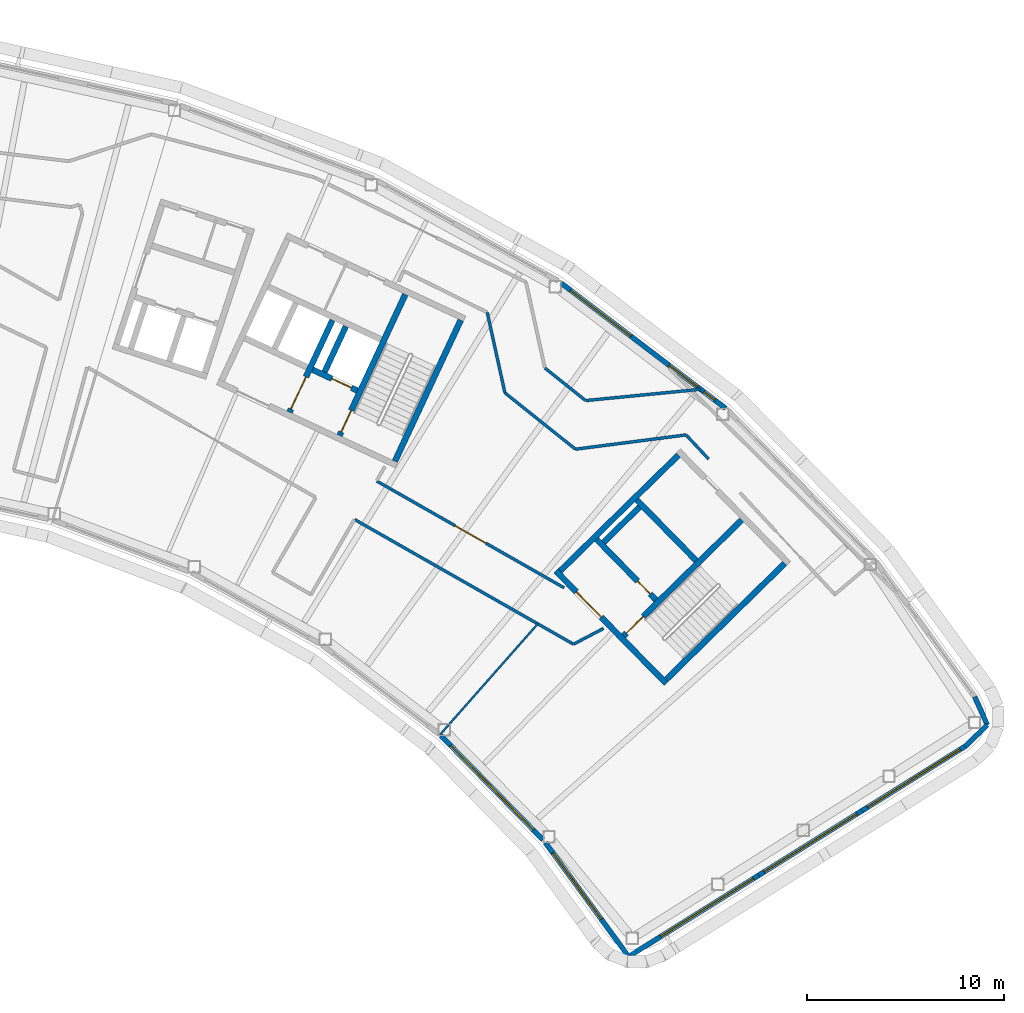
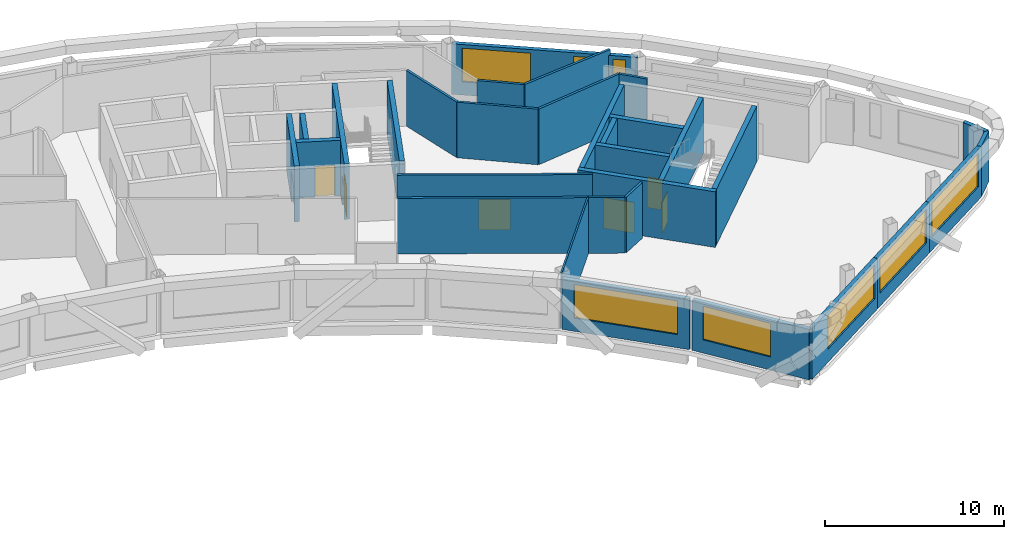
# One storey, part 8 of 17: 30 walls, 8 windows, 7 doors, 15 openings.
"""IFC4 building model written with IfcOpenShell, lengths in metres."""

from ifc_helpers import new_model, si_unit, direction, frame, frame_2d, origin, place, context, subcontext, project, spatial, rectangle, extrude, material, layer, layer_set, type_object, element, fill, save


model = new_model("IFC4")

# Units and contexts
model_context = context("Model", 3, precision=1e-05, world=origin(), true_north=direction((0.0, 1.0)))
body_context = subcontext(model_context, "Body", "Model", "MODEL_VIEW")
ifc_project = project(units=[si_unit("LENGTHUNIT", "METRE"), si_unit("AREAUNIT", "SQUARE_METRE"), si_unit("VOLUMEUNIT", "CUBIC_METRE"), si_unit("PLANEANGLEUNIT", "RADIAN"), si_unit("MASSUNIT", "GRAM", prefix="KILO")], contexts=[model_context])

# Site, building, storey
site_placement = place(None, origin())
site = spatial("IfcSite", under=ifc_project, at=site_placement, CompositionType="ELEMENT")
building_placement = place(site_placement, origin())
building = spatial("IfcBuilding", under=site, at=building_placement, Name="Tuul Gate Civic Tower", CompositionType="ELEMENT")
storey_placement = place(building_placement, frame((0.0, 0.0, 344.89990234375)))
storey = spatial("IfcBuildingStorey", under=building, at=storey_placement, Name="Level 78", CompositionType="ELEMENT", Elevation=344.89990234375)

# Wall, opening, door
ifc_material_1 = material(Name="Concrete C50/60", Category="concrete")
ifc_layer_1 = layer(ifc_material_1, 0.300048828125)
ifc_layer_set_1 = layer_set([ifc_layer_1], Name="Concrete C50/60")
wall_type_1 = type_object("IfcWallType", Name="Core wall C50/60", PredefinedType="SHEAR", material=ifc_layer_set_1)
wall_1_placement = place(storey_placement, frame((48.22509765625, -18.327880859375, 0.0), z_axis=(0.0, 0.0, 1.0), x_axis=(-0.700021979774, 0.714121297703, 0.0)))
wall_1 = element("IfcWall", 1, at=wall_1_placement, inside=storey, type_object=wall_type_1, Name="Core wall", PredefinedType="SHEAR", context=body_context, shape_type="SweptSolid", body=[
    extrude(rectangle(XDim=8.0, YDim=0.300048828125, at=frame_2d((4.0, 0.0))), origin(), (0.0, 0.0, 1.0), 3.800048828125),
])
opening_1_placement = place(wall_1_placement, frame((4.72509765625, 0.0, 0.0)))
opening_1 = element("IfcOpeningElement", 2, at=opening_1_placement, cuts=wall_1, Name="Opening LB-E1-LOBBY-1", PredefinedType="OPENING", context=body_context, shape_type="SweptSolid", body=[
    extrude(rectangle(XDim=1.800048828125, YDim=2.10009765625, at=frame_2d((0.89990234375, 1.050048828125))), frame((0.0, 0.16015625, 0.0), z_axis=(0.0, -1.0, 0.0), x_axis=(1.0, 0.0, 0.0)), (0.0, 0.0, 1.0), 0.320068359375),
])
ifc_material_2 = material(Name="Steel", Category="steel")
door_type_1 = type_object("IfcDoorType", Name="Lobby door", OperationType="DOUBLE_DOOR_SINGLE_SWING", PredefinedType="DOOR", material=ifc_material_2)
door_1_placement = place(opening_1_placement, frame((1.800048828125, 0.0, 0.0), z_axis=(0.0, 0.0, 1.0), x_axis=(-1.0, 0.0, 0.0)))
door_1 = element("IfcDoor", 3, at=door_1_placement, inside=storey, type_object=door_type_1, Name="Lobby door E1-LOBBY", OperationType="DOUBLE_DOOR_SINGLE_SWING", OverallHeight=2.10009765625, OverallWidth=1.800048828125, PredefinedType="DOOR", context=body_context, shape_type="SweptSolid", body=[
    extrude(rectangle(XDim=1.800048828125, YDim=2.10009765625, at=frame_2d((0.900146484375, 1.050048828125))), frame((0.0, 0.02490234375, 0.0), z_axis=(0.0, -1.0, 0.0), x_axis=(1.0, 0.0, 0.0)), (0.0, 0.0, 1.0), 0.050048828125),
])
fill(opening_1, door_1)

wall_2_placement = place(storey_placement, frame((47.701904296875, -14.079833984375, 0.0), z_axis=(0.0, 0.0, 1.0), x_axis=(-0.700002721075, 0.714140175657, 0.0)))
wall_2 = element("IfcWall", 4, at=wall_2_placement, inside=storey, type_object=wall_type_1, Name="Core wall", PredefinedType="SHEAR", context=body_context, shape_type="SweptSolid", body=[
    extrude(rectangle(XDim=4.300048828125, YDim=0.300048828125, at=frame_2d((2.14990234375, 0.0))), origin(), (0.0, 0.0, 1.0), 3.800048828125),
])
opening_2_placement = place(wall_2_placement, frame((0.425048828125, 0.0, 0.0)))
opening_2 = element("IfcOpeningElement", 5, at=opening_2_placement, cuts=wall_2, Name="Opening FB-E1A1", PredefinedType="OPENING", context=body_context, shape_type="SweptSolid", body=[
    extrude(rectangle(XDim=0.89990234375, YDim=2.10009765625, at=frame_2d((0.449951171875, 1.050048828125))), frame((0.0, 0.16015625, 0.0), z_axis=(0.0, -1.0, 0.0), x_axis=(1.0, 0.0, 0.0)), (0.0, 0.0, 1.0), 0.320068359375),
])
ifc_material_3 = material(Name="Steel", Category="steel")
door_type_2 = type_object("IfcDoorType", Name="Store door", OperationType="NOTDEFINED", PredefinedType="DOOR", material=ifc_material_3)
door_2_placement = place(opening_2_placement, frame((0.89990234375, 0.0, 0.0), z_axis=(0.0, 0.0, 1.0), x_axis=(-1.0, 0.0, 0.0)))
door_2 = element("IfcDoor", 6, at=door_2_placement, inside=storey, type_object=door_type_2, Name="Store door E1A1", OperationType="SINGLE_SWING_RIGHT", OverallHeight=2.10009765625, OverallWidth=0.89990234375, PredefinedType="DOOR", context=body_context, shape_type="SweptSolid", body=[
    extrude(rectangle(XDim=0.89990234375, YDim=2.10009765625, at=frame_2d((0.449951171875, 1.050048828125))), frame((0.0, 0.02490234375, 0.0), z_axis=(0.0, -1.0, 0.0), x_axis=(1.0, 0.0, 0.0)), (0.0, 0.0, 1.0), 0.050048828125),
])
fill(opening_2, door_2)

# Walls
wall_3_placement = place(storey_placement, frame((49.737060546875, -12.0849609375, 0.0), z_axis=(0.0, 0.0, 1.0), x_axis=(-0.700002721075, 0.714140175657, 0.0)))
element("IfcWall", 7, at=wall_3_placement, inside=storey, type_object=wall_type_1, Name="Core wall", PredefinedType="SHEAR", context=body_context, shape_type="SweptSolid", body=[
    extrude(rectangle(XDim=4.300048828125, YDim=0.300048828125, at=frame_2d((2.14990234375, 0.0))), origin(), (0.0, 0.0, 1.0), 3.800048828125),
])
wall_4_placement = place(storey_placement, frame((48.227294921875, -18.115966796875, 0.0), z_axis=(0.0, 0.0, 1.0), x_axis=(0.714105315431, 0.700038283577, 0.0)))
element("IfcWall", 8, at=wall_4_placement, inside=storey, type_object=wall_type_1, Name="Core wall", PredefinedType="SHEAR", context=body_context, shape_type="SweptSolid", body=[
    extrude(rectangle(XDim=8.400146484375, YDim=0.300048828125, at=frame_2d((4.2001953125, 0.0))), origin(), (0.0, 0.0, 1.0), 3.800048828125),
])

# Wall, opening, door
wall_5_placement = place(storey_placement, frame((46.05712890625, -15.902099609375, 0.0), z_axis=(0.0, 0.0, 1.0), x_axis=(0.714134086973, 0.700008932674, 0.0)))
wall_5 = element("IfcWall", 9, at=wall_5_placement, inside=storey, type_object=wall_type_1, Name="Core wall", PredefinedType="SHEAR", context=body_context, shape_type="SweptSolid", body=[
    extrude(rectangle(XDim=8.400146484375, YDim=0.300048828125, at=frame_2d((4.2001953125, 0.0))), origin(), (0.0, 0.0, 1.0), 3.800048828125),
])
opening_3_placement = place(wall_5_placement, frame((0.199951171875, 0.0, 0.0)))
opening_3 = element("IfcOpeningElement", 10, at=opening_3_placement, cuts=wall_5, Name="Opening SD-ST-3", PredefinedType="OPENING", context=body_context, shape_type="SweptSolid", body=[
    extrude(rectangle(XDim=1.199951171875, YDim=2.10009765625, at=frame_2d((0.60009765625, 1.050048828125))), frame((0.0, 0.16015625, 0.0), z_axis=(0.0, -1.0, 0.0), x_axis=(1.0, 0.0, 0.0)), (0.0, 0.0, 1.0), 0.320068359375),
])
ifc_material_4 = material(Name="Steel", Category="steel")
door_type_3 = type_object("IfcDoorType", Name="Stair door", OperationType="NOTDEFINED", PredefinedType="DOOR", material=ifc_material_4)
door_3_placement = place(opening_3_placement, origin())
door_3 = element("IfcDoor", 11, at=door_3_placement, inside=storey, type_object=door_type_3, Name="Stair door ST-3", OperationType="SINGLE_SWING_LEFT", OverallHeight=2.10009765625, OverallWidth=1.199951171875, PredefinedType="DOOR", context=body_context, shape_type="SweptSolid", body=[
    extrude(rectangle(XDim=1.199951171875, YDim=2.10009765625, at=frame_2d((0.60009765625, 1.050048828125))), frame((0.0, 0.02490234375, 0.0), z_axis=(0.0, -1.0, 0.0), x_axis=(1.0, 0.0, 0.0)), (0.0, 0.0, 1.0), 0.050048828125),
])
fill(opening_3, door_3)

# Walls
wall_6_placement = place(storey_placement, frame((45.0439453125, -11.154052734375, 0.0), z_axis=(0.0, 0.0, 1.0), x_axis=(0.714108498262, 0.700035036773, 0.0)))
element("IfcWall", 12, at=wall_6_placement, inside=storey, type_object=wall_type_1, Name="Core wall", PredefinedType="SHEAR", context=body_context, shape_type="SweptSolid", body=[
    extrude(rectangle(XDim=2.550048828125, YDim=0.300048828125, at=frame_2d((1.27490234375, 0.0))), origin(), (0.0, 0.0, 1.0), 3.800048828125),
])
wall_7_placement = place(storey_placement, frame((42.837158203125, -12.616943359375, 0.0), z_axis=(0.0, 0.0, 1.0), x_axis=(0.714119844755, 0.700023461983, 0.0)))
element("IfcWall", 13, at=wall_7_placement, inside=storey, type_object=wall_type_1, Name="Core wall", PredefinedType="SHEAR", context=body_context, shape_type="SweptSolid", body=[
    extrude(rectangle(XDim=8.39990234375, YDim=0.300048828125, at=frame_2d((4.199951171875, 0.0))), origin(), (0.0, 0.0, 1.0), 3.800048828125),
])

# Wall, opening, door
wall_8_placement = place(storey_placement, frame((32.545654296875, -3.456787109375, 0.0), z_axis=(0.0, 0.0, 1.0), x_axis=(-0.906300357825, 0.42263419337, 0.0)))
wall_8 = element("IfcWall", 14, at=wall_8_placement, inside=storey, type_object=wall_type_1, Name="Core wall", PredefinedType="SHEAR", context=body_context, shape_type="SweptSolid", body=[
    extrude(rectangle(XDim=2.500244140625, YDim=0.300048828125, at=frame_2d((1.25, 0.0))), origin(), (0.0, 0.0, 1.0), 3.800048828125),
])
opening_4_placement = place(wall_8_placement, frame((0.324951171875, 0.0, 0.0)))
opening_4 = element("IfcOpeningElement", 15, at=opening_4_placement, cuts=wall_8, Name="Opening LD-FF-2", PredefinedType="OPENING", context=body_context, shape_type="SweptSolid", body=[
    extrude(rectangle(XDim=1.10009765625, YDim=2.10009765625, at=frame_2d((0.550048828125, 1.050048828125))), frame((0.0, 0.16015625, 0.0), z_axis=(0.0, -1.0, 0.0), x_axis=(1.0, 0.0, 0.0)), (0.0, 0.0, 1.0), 0.320068359375),
])
ifc_material_5 = material(Name="Stainless steel", Category="steel")
door_type_4 = type_object("IfcDoorType", Name="Landing door", OperationType="DOUBLE_DOOR_SLIDING", PredefinedType="DOOR", material=ifc_material_5)
door_4_placement = place(opening_4_placement, origin())
door_4 = element("IfcDoor", 16, at=door_4_placement, inside=storey, type_object=door_type_4, Name="Fire-fighting lift FF-2 landing door", OperationType="DOUBLE_DOOR_SLIDING", OverallHeight=2.10009765625, OverallWidth=1.10009765625, PredefinedType="DOOR", context=body_context, shape_type="SweptSolid", body=[
    extrude(rectangle(XDim=1.10009765625, YDim=2.10009765625, at=frame_2d((0.550048828125, 1.050048828125))), frame((0.0, 0.02490234375, 0.0), z_axis=(0.0, -1.0, 0.0), x_axis=(1.0, 0.0, 0.0)), (0.0, 0.0, 1.0), 0.050048828125),
])
fill(opening_4, door_4)

# Wall
wall_9_placement = place(storey_placement, frame((34.455810546875, -7.05078125, 0.0), z_axis=(0.0, 0.0, 1.0), x_axis=(0.422570768258, 0.906329932096, 0.0)))
element("IfcWall", 17, at=wall_9_placement, inside=storey, type_object=wall_type_1, Name="Core wall", PredefinedType="SHEAR", context=body_context, shape_type="SweptSolid", body=[
    extrude(rectangle(XDim=7.900146484375, YDim=0.300048828125, at=frame_2d((3.9501953125, 0.0))), origin(), (0.0, 0.0, 1.0), 3.800048828125),
])

# Wall, opening, door
wall_10_placement = place(storey_placement, frame((31.646240234375, -5.740478515625, 0.0), z_axis=(0.0, 0.0, 1.0), x_axis=(0.422582604137, 0.906324413596, 0.0)))
wall_10 = element("IfcWall", 18, at=wall_10_placement, inside=storey, type_object=wall_type_1, Name="Core wall", PredefinedType="SHEAR", context=body_context, shape_type="SweptSolid", body=[
    extrude(rectangle(XDim=7.89990234375, YDim=0.300048828125, at=frame_2d((3.949951171875, 0.0))), origin(), (0.0, 0.0, 1.0), 3.800048828125),
])
opening_5_placement = place(wall_10_placement, frame((0.199951171875, 0.0, 0.0)))
opening_5 = element("IfcOpeningElement", 19, at=opening_5_placement, cuts=wall_10, Name="Opening SD-ST-4", PredefinedType="OPENING", context=body_context, shape_type="SweptSolid", body=[
    extrude(rectangle(XDim=1.199951171875, YDim=2.10009765625, at=frame_2d((0.60009765625, 1.050048828125))), frame((0.0, 0.16015625, 0.0), z_axis=(0.0, -1.0, 0.0), x_axis=(1.0, 0.0, 0.0)), (0.0, 0.0, 1.0), 0.320068359375),
])
door_5_placement = place(opening_5_placement, origin())
door_5 = element("IfcDoor", 20, at=door_5_placement, inside=storey, type_object=door_type_3, Name="Stair door ST-4", OperationType="SINGLE_SWING_LEFT", OverallHeight=2.10009765625, OverallWidth=1.199951171875, PredefinedType="DOOR", context=body_context, shape_type="SweptSolid", body=[
    extrude(rectangle(XDim=1.199951171875, YDim=2.10009765625, at=frame_2d((0.60009765625, 1.050048828125))), frame((0.0, 0.02490234375, 0.0), z_axis=(0.0, -1.0, 0.0), x_axis=(1.0, 0.0, 0.0)), (0.0, 0.0, 1.0), 0.050048828125),
])
fill(opening_5, door_5)

# Wall
wall_11_placement = place(storey_placement, frame((30.886962890625, -2.517822265625, 0.0), z_axis=(0.0, 0.0, 1.0), x_axis=(0.422612891016, 0.906310291427, 0.0)))
element("IfcWall", 21, at=wall_11_placement, inside=storey, type_object=wall_type_1, Name="Core wall", PredefinedType="SHEAR", context=body_context, shape_type="SweptSolid", body=[
    extrude(rectangle(XDim=2.550048828125, YDim=0.300048828125, at=frame_2d((1.27490234375, 0.0))), origin(), (0.0, 0.0, 1.0), 3.800048828125),
])

# Wall, opening, door
wall_12_placement = place(storey_placement, frame((29.108642578125, -4.557373046875, 0.0), z_axis=(0.0, 0.0, 1.0), x_axis=(0.422566235356, 0.90633204552, 0.0)))
wall_12 = element("IfcWall", 22, at=wall_12_placement, inside=storey, type_object=wall_type_1, Name="Core wall", PredefinedType="SHEAR", context=body_context, shape_type="SweptSolid", body=[
    extrude(rectangle(XDim=5.150146484375, YDim=0.300048828125, at=frame_2d((2.5751953125, 0.0))), origin(), (0.0, 0.0, 1.0), 3.800048828125),
])
opening_6_placement = place(wall_12_placement, frame((0.175048828125, 0.0, 0.0)))
opening_6 = element("IfcOpeningElement", 23, at=opening_6_placement, cuts=wall_12, Name="Opening LB-E3-FLOBBY-1", PredefinedType="OPENING", context=body_context, shape_type="SweptSolid", body=[
    extrude(rectangle(XDim=1.800048828125, YDim=2.10009765625, at=frame_2d((0.89990234375, 1.050048828125))), frame((0.0, 0.16015625, 0.0), z_axis=(0.0, -1.0, 0.0), x_axis=(1.0, 0.0, 0.0)), (0.0, 0.0, 1.0), 0.320068359375),
])
door_6_placement = place(opening_6_placement, frame((1.800048828125, 0.0, 0.0), z_axis=(0.0, 0.0, 1.0), x_axis=(-1.0, 0.0, 0.0)))
door_6 = element("IfcDoor", 24, at=door_6_placement, inside=storey, type_object=door_type_1, Name="Lobby door E3-FLOBBY", OperationType="DOUBLE_DOOR_SINGLE_SWING", OverallHeight=2.10009765625, OverallWidth=1.800048828125, PredefinedType="DOOR", context=body_context, shape_type="SweptSolid", body=[
    extrude(rectangle(XDim=1.800048828125, YDim=2.10009765625, at=frame_2d((0.900146484375, 1.050048828125))), frame((0.0, 0.02490234375, 0.0), z_axis=(0.0, -1.0, 0.0), x_axis=(1.0, 0.0, 0.0)), (0.0, 0.0, 1.0), 0.050048828125),
])
fill(opening_6, door_6)

# Walls
ifc_material_6 = material(Name="Gypsum board partition")
ifc_layer_2 = layer(ifc_material_6, 0.14990234375)
ifc_layer_set_2 = layer_set([ifc_layer_2], Name="Gypsum board partition")
wall_type_2 = type_object("IfcWallType", Name="Corridor wall P150", PredefinedType="PARTITIONING", material=ifc_layer_set_2)
wall_13_placement = place(storey_placement, frame((44.140380859375, -3.968017578125, 0.0), z_axis=(0.0, 0.0, 1.0), x_axis=(0.99523368149, 0.097518814735, 0.0)))
element("IfcWall", 25, at=wall_13_placement, inside=storey, type_object=wall_type_2, Name="p008", PredefinedType="PARTITIONING", context=body_context, shape_type="SweptSolid", body=[
    extrude(rectangle(XDim=5.858154296875, YDim=0.14990234375, at=frame_2d((2.92919921875, 0.0))), origin(), (0.0, 0.0, 1.0), 3.800048828125),
])
wall_14_placement = place(storey_placement, frame((42.06884765625, -2.321044921875, 0.0), z_axis=(0.0, 0.0, 1.0), x_axis=(0.781447548513, -0.62397093596, 0.0)))
element("IfcWall", 26, at=wall_14_placement, inside=storey, type_object=wall_type_2, Name="p009", PredefinedType="PARTITIONING", context=body_context, shape_type="SweptSolid", body=[
    extrude(rectangle(XDim=2.632568359375, YDim=0.14990234375, at=frame_2d((1.31640625, 0.0))), origin(), (0.0, 0.0, 1.0), 3.800048828125),
])
wall_15_placement = place(storey_placement, frame((32.418701171875, -10.00634765625, 0.0), z_axis=(0.0, 0.0, 1.0), x_axis=(0.868898796348, -0.494989779395, 0.0)))
element("IfcWall", 27, at=wall_15_placement, inside=storey, type_object=wall_type_2, Name="p027", PredefinedType="PARTITIONING", context=body_context, shape_type="SweptSolid", body=[
    extrude(rectangle(XDim=12.771484375, YDim=0.14990234375, at=frame_2d((6.3857421875, 0.0))), origin(), (0.0, 0.0, 1.0), 3.800048828125),
])
wall_16_placement = place(storey_placement, frame((43.515869140625, -16.328125, 0.0), z_axis=(0.0, 0.0, 1.0), x_axis=(0.885516504888, 0.464607920263, 0.0)))
element("IfcWall", 28, at=wall_16_placement, inside=storey, type_object=wall_type_2, Name="p028", PredefinedType="PARTITIONING", context=body_context, shape_type="SweptSolid", body=[
    extrude(rectangle(XDim=1.715087890625, YDim=0.14990234375, at=frame_2d((0.857421875, 0.0))), origin(), (0.0, 0.0, 1.0), 3.800048828125),
])
wall_17_placement = place(storey_placement, frame((49.235107421875, -5.718505859375, 0.0), z_axis=(0.0, 0.0, 1.0), x_axis=(0.681993637288, -0.731358105649, 0.0)))
element("IfcWall", 29, at=wall_17_placement, inside=storey, type_object=wall_type_2, Name="p029", PredefinedType="PARTITIONING", context=body_context, shape_type="SweptSolid", body=[
    extrude(rectangle(XDim=1.661865234375, YDim=0.14990234375, at=frame_2d((0.8310546875, 0.0))), origin(), (0.0, 0.0, 1.0), 3.800048828125),
])

# Wall, opening, door
wall_18_placement = place(storey_placement, frame((33.540771484375, -8.0556640625, 0.0), z_axis=(0.0, 0.0, 1.0), x_axis=(0.868878593255, -0.495025241965, 0.0)))
wall_18 = element("IfcWall", 30, at=wall_18_placement, inside=storey, type_object=wall_type_2, Name="p079", PredefinedType="PARTITIONING", context=body_context, shape_type="SweptSolid", body=[
    extrude(rectangle(XDim=10.9345703125, YDim=0.14990234375, at=frame_2d((5.46728515625, 0.0))), origin(), (0.0, 0.0, 1.0), 3.800048828125),
])
opening_7_placement = place(wall_18_placement, frame((4.5673828125, 0.0, 0.0)))
opening_7 = element("IfcOpeningElement", 31, at=opening_7_placement, cuts=wall_18, Name="Opening AC-D13", PredefinedType="OPENING", context=body_context, shape_type="SweptSolid", body=[
    extrude(rectangle(XDim=1.800048828125, YDim=2.10009765625, at=frame_2d((0.89990234375, 1.050048828125))), frame((0.0, 0.0849609375, 0.0), z_axis=(0.0, -1.0, 0.0), x_axis=(1.0, 0.0, 0.0)), (0.0, 0.0, 1.0), 0.169921875),
])
ifc_material_7 = material(Name="Timber door leaf, double", Category="wood")
door_type_5 = type_object("IfcDoorType", Name="Door D18", OperationType="DOUBLE_DOOR_SINGLE_SWING", PredefinedType="DOOR", material=ifc_material_7)
door_7_placement = place(opening_7_placement, origin())
door_7 = element("IfcDoor", 32, at=door_7_placement, inside=storey, type_object=door_type_5, Name="Door AC-D13", OperationType="DOUBLE_DOOR_SINGLE_SWING", OverallHeight=2.10009765625, OverallWidth=1.800048828125, PredefinedType="DOOR", context=body_context, shape_type="SweptSolid", body=[
    extrude(rectangle(XDim=1.800048828125, YDim=2.10009765625, at=frame_2d((0.89990234375, 1.050048828125))), frame((0.0, 0.02490234375, 0.0), z_axis=(0.0, -1.0, 0.0), x_axis=(1.0, 0.0, 0.0)), (0.0, 0.0, 1.0), 0.050048828125),
])
fill(opening_7, door_7)

# Walls
wall_19_placement = place(storey_placement, frame((39.140380859375, 0.498779296875, 0.0), z_axis=(0.0, 0.0, 1.0), x_axis=(0.214774749988, -0.976663609831, 0.0)))
element("IfcWall", 33, at=wall_19_placement, inside=storey, type_object=wall_type_2, Name="p082", PredefinedType="PARTITIONING", context=body_context, shape_type="SweptSolid", body=[
    extrude(rectangle(XDim=4.174072265625, YDim=0.14990234375, at=frame_2d((2.0869140625, 0.0))), origin(), (0.0, 0.0, 1.0), 3.800048828125),
])
wall_20_placement = place(storey_placement, frame((40.036865234375, -3.577880859375, 0.0), z_axis=(0.0, 0.0, 1.0), x_axis=(0.781456042553, -0.623960298061, 0.0)))
element("IfcWall", 34, at=wall_20_placement, inside=storey, type_object=wall_type_2, Name="p083", PredefinedType="PARTITIONING", context=body_context, shape_type="SweptSolid", body=[
    extrude(rectangle(XDim=4.58056640625, YDim=0.14990234375, at=frame_2d((2.290283203125, 0.0))), origin(), (0.0, 0.0, 1.0), 3.800048828125),
])
wall_21_placement = place(storey_placement, frame((43.616455078125, -6.43603515625, 0.0), z_axis=(0.0, 0.0, 1.0), x_axis=(0.991763889068, 0.128079617191, 0.0)))
element("IfcWall", 35, at=wall_21_placement, inside=storey, type_object=wall_type_2, Name="p084", PredefinedType="PARTITIONING", context=body_context, shape_type="SweptSolid", body=[
    extrude(rectangle(XDim=5.65185546875, YDim=0.14990234375, at=frame_2d((2.825927734375, 0.0))), origin(), (0.0, 0.0, 1.0), 3.800048828125),
])
ifc_material_8 = material(Name="Precast concrete C40/50", Category="concrete")
ifc_layer_3 = layer(ifc_material_8, 0.25)
ifc_layer_set_3 = layer_set([ifc_layer_3], Name="Precast concrete C40/50")
wall_type_3 = type_object("IfcWallType", Name="External wall", PredefinedType="STANDARD", material=ifc_layer_set_3)
wall_22_placement = place(storey_placement, frame((63.382568359375, -21.513671875, 0.0), z_axis=(0.0, 0.0, 1.0), x_axis=(0.722162740816, 0.691723193031, 0.0)))
element("IfcWall", 36, at=wall_22_placement, inside=storey, type_object=wall_type_3, Name="External wall", PredefinedType="STANDARD", context=body_context, shape_type="SweptSolid", body=[
    extrude(rectangle(XDim=1.572021484375, YDim=0.25, at=frame_2d((0.7861328125, 0.0))), origin(), (0.0, 0.0, 1.0), 3.4501953125),
])
wall_23_placement = place(storey_placement, frame((64.517822265625, -20.42626953125, 0.0), z_axis=(0.0, 0.0, 1.0), x_axis=(-0.413463423134, 0.910520728886, 0.0)))
element("IfcWall", 37, at=wall_23_placement, inside=storey, type_object=wall_type_3, Name="External wall", PredefinedType="STANDARD", context=body_context, shape_type="SweptSolid", body=[
    extrude(rectangle(XDim=1.5712890625, YDim=0.25, at=frame_2d((0.78564453125, 0.0))), origin(), (0.0, 0.0, 1.0), 3.4501953125),
])

# Wall, openings, windows
wall_24_placement = place(storey_placement, frame((51.231689453125, -4.363037109375, 0.0), z_axis=(0.0, 0.0, 1.0), x_axis=(-0.795609236307, 0.605810154342, 0.0)))
wall_24 = element("IfcWall", 38, at=wall_24_placement, inside=storey, type_object=wall_type_3, Name="External wall", PredefinedType="STANDARD", context=body_context, shape_type="SweptSolid", body=[
    extrude(rectangle(XDim=10.4794921875, YDim=0.25, at=frame_2d((5.23974609375, 0.0))), origin(), (0.0, 0.0, 1.0), 3.4501953125),
])
opening_8_placement = place(wall_24_placement, frame((6.030517578125, 0.0, 0.89990234375)))
opening_8 = element("IfcOpeningElement", 39, at=opening_8_placement, cuts=wall_24, Name="Opening W22", PredefinedType="OPENING", context=body_context, shape_type="SweptSolid", body=[
    extrude(rectangle(XDim=3.85009765625, YDim=2.300048828125, at=frame_2d((1.925048828125, 1.14990234375))), frame((0.0, 0.135009765625, 0.0), z_axis=(0.0, -1.0, 0.0), x_axis=(1.0, 0.0, 0.0)), (0.0, 0.0, 1.0), 0.27001953125),
])
opening_9_placement = place(wall_24_placement, frame((0.681396484375, 0.0, 0.89990234375)))
opening_9 = element("IfcOpeningElement", 40, at=opening_9_placement, cuts=wall_24, Name="Opening W70", PredefinedType="OPENING", context=body_context, shape_type="SweptSolid", body=[
    extrude(rectangle(XDim=0.699951171875, YDim=2.300048828125, at=frame_2d((0.35009765625, 1.14990234375))), frame((0.0, 0.135009765625, 0.0), z_axis=(0.0, -1.0, 0.0), x_axis=(1.0, 0.0, 0.0)), (0.0, 0.0, 1.0), 0.27001953125),
])
opening_10_placement = place(wall_24_placement, frame((1.805908203125, 0.0, 0.89990234375)))
opening_10 = element("IfcOpeningElement", 41, at=opening_10_placement, cuts=wall_24, Name="Opening W29", PredefinedType="OPENING", context=body_context, shape_type="SweptSolid", body=[
    extrude(rectangle(XDim=1.800048828125, YDim=2.300048828125, at=frame_2d((0.89990234375, 1.14990234375))), frame((0.0, 0.135009765625, 0.0), z_axis=(0.0, -1.0, 0.0), x_axis=(1.0, 0.0, 0.0)), (0.0, 0.0, 1.0), 0.27001953125),
])
ifc_material_9 = material(Name="Glass", Category="glass")
window_type_1 = type_object("IfcWindowType", Name="Window 1800 x 2300", PartitioningType="SINGLE_PANEL", PredefinedType="WINDOW", material=ifc_material_9)
window_1_placement = place(opening_10_placement, origin())
window_1 = element("IfcWindow", 42, at=window_1_placement, inside=storey, type_object=window_type_1, Name="Window", OverallHeight=2.300048828125, OverallWidth=1.800048828125, PartitioningType="SINGLE_PANEL", PredefinedType="WINDOW", context=body_context, shape_type="SweptSolid", body=[
    extrude(rectangle(XDim=1.800048828125, YDim=2.300048828125, at=frame_2d((0.89990234375, 1.14990234375))), frame((0.0, 0.030029296875, 0.0), z_axis=(0.0, -1.0, 0.0), x_axis=(1.0, 0.0, 0.0)), (0.0, 0.0, 1.0), 0.06005859375),
])
fill(opening_10, window_1)
ifc_material_10 = material(Name="Glass", Category="glass")
window_type_2 = type_object("IfcWindowType", Name="Window 700 x 2300", PartitioningType="SINGLE_PANEL", PredefinedType="WINDOW", material=ifc_material_10)
window_2_placement = place(opening_9_placement, origin())
window_2 = element("IfcWindow", 43, at=window_2_placement, inside=storey, type_object=window_type_2, Name="Window", OverallHeight=2.300048828125, OverallWidth=0.699951171875, PartitioningType="SINGLE_PANEL", PredefinedType="WINDOW", context=body_context, shape_type="SweptSolid", body=[
    extrude(rectangle(XDim=0.699951171875, YDim=2.300048828125, at=frame_2d((0.35009765625, 1.14990234375))), frame((0.0, 0.030029296875, 0.0), z_axis=(0.0, -1.0, 0.0), x_axis=(1.0, 0.0, 0.0)), (0.0, 0.0, 1.0), 0.06005859375),
])
fill(opening_9, window_2)
ifc_material_11 = material(Name="Glass", Category="glass")
window_type_3 = type_object("IfcWindowType", Name="Window W22 3850 x 2300", PartitioningType="SINGLE_PANEL", PredefinedType="WINDOW", material=ifc_material_11)
window_3_placement = place(opening_8_placement, origin())
window_3 = element("IfcWindow", 44, at=window_3_placement, inside=storey, type_object=window_type_3, Name="Window", OverallHeight=2.300048828125, OverallWidth=3.85009765625, PartitioningType="SINGLE_PANEL", PredefinedType="WINDOW", context=body_context, shape_type="SweptSolid", body=[
    extrude(rectangle(XDim=3.85009765625, YDim=2.300048828125, at=frame_2d((1.925048828125, 1.14990234375))), frame((0.0, 0.030029296875, 0.0), z_axis=(0.0, -1.0, 0.0), x_axis=(1.0, 0.0, 0.0)), (0.0, 0.0, 1.0), 0.06005859375),
])
fill(opening_8, window_3)

# Wall, opening, window
wall_25_placement = place(storey_placement, frame((36.796875, -20.97509765625, 0.0), z_axis=(0.0, 0.0, 1.0), x_axis=(0.700088248381, -0.714056331446, 0.0)))
wall_25 = element("IfcWall", 45, at=wall_25_placement, inside=storey, type_object=wall_type_3, Name="External wall", PredefinedType="STANDARD", context=body_context, shape_type="SweptSolid", body=[
    extrude(rectangle(XDim=7.393310546875, YDim=0.25, at=frame_2d((3.69677734375, 0.0))), origin(), (0.0, 0.0, 1.0), 3.4501953125),
])
opening_11_placement = place(wall_25_placement, frame((0.695068359375, 0.0, 0.89990234375)))
opening_11 = element("IfcOpeningElement", 46, at=opening_11_placement, cuts=wall_25, Name="Opening W26", PredefinedType="OPENING", context=body_context, shape_type="SweptSolid", body=[
    extrude(rectangle(XDim=6.0, YDim=2.300048828125, at=frame_2d((3.0, 1.14990234375))), frame((0.0, 0.135009765625, 0.0), z_axis=(0.0, -1.0, 0.0), x_axis=(1.0, 0.0, 0.0)), (0.0, 0.0, 1.0), 0.27001953125),
])
ifc_material_12 = material(Name="Glass", Category="glass")
window_type_4 = type_object("IfcWindowType", Name="Window W26 6000 x 2300", PartitioningType="SINGLE_PANEL", PredefinedType="WINDOW", material=ifc_material_12)
window_4_placement = place(opening_11_placement, origin())
window_4 = element("IfcWindow", 47, at=window_4_placement, inside=storey, type_object=window_type_4, Name="Window", OverallHeight=2.300048828125, OverallWidth=6.0, PartitioningType="SINGLE_PANEL", PredefinedType="WINDOW", context=body_context, shape_type="SweptSolid", body=[
    extrude(rectangle(XDim=6.0, YDim=2.300048828125, at=frame_2d((3.0, 1.14990234375))), frame((0.0, 0.030029296875, 0.0), z_axis=(0.0, -1.0, 0.0), x_axis=(1.0, 0.0, 0.0)), (0.0, 0.0, 1.0), 0.06005859375),
])
fill(opening_11, window_4)

wall_26_placement = place(storey_placement, frame((42.09033203125, -26.39697265625, 0.0), z_axis=(0.0, 0.0, 1.0), x_axis=(0.589740329834, -0.807592931722, 0.0)))
wall_26 = element("IfcWall", 48, at=wall_26_placement, inside=storey, type_object=wall_type_3, Name="External wall", PredefinedType="STANDARD", context=body_context, shape_type="SweptSolid", body=[
    extrude(rectangle(XDim=7.15771484375, YDim=0.25, at=frame_2d((3.578857421875, 0.0))), origin(), (0.0, 0.0, 1.0), 3.4501953125),
])
opening_12_placement = place(wall_26_placement, frame((0.650146484375, 0.0, 0.89990234375)))
opening_12 = element("IfcOpeningElement", 49, at=opening_12_placement, cuts=wall_26, Name="Opening W25", PredefinedType="OPENING", context=body_context, shape_type="SweptSolid", body=[
    extrude(rectangle(XDim=4.14990234375, YDim=2.300048828125, at=frame_2d((2.074951171875, 1.14990234375))), frame((0.0, 0.135009765625, 0.0), z_axis=(0.0, -1.0, 0.0), x_axis=(1.0, 0.0, 0.0)), (0.0, 0.0, 1.0), 0.27001953125),
])
ifc_material_13 = material(Name="Glass", Category="glass")
window_type_5 = type_object("IfcWindowType", Name="Window W25 4150 x 2300", PartitioningType="SINGLE_PANEL", PredefinedType="WINDOW", material=ifc_material_13)
window_5_placement = place(opening_12_placement, origin())
window_5 = element("IfcWindow", 50, at=window_5_placement, inside=storey, type_object=window_type_5, Name="Window", OverallHeight=2.300048828125, OverallWidth=4.14990234375, PartitioningType="SINGLE_PANEL", PredefinedType="WINDOW", context=body_context, shape_type="SweptSolid", body=[
    extrude(rectangle(XDim=4.14990234375, YDim=2.300048828125, at=frame_2d((2.074951171875, 1.14990234375))), frame((0.0, 0.030029296875, 0.0), z_axis=(0.0, -1.0, 0.0), x_axis=(1.0, 0.0, 0.0)), (0.0, 0.0, 1.0), 0.06005859375),
])
fill(opening_12, window_5)

wall_27_placement = place(storey_placement, frame((46.3115234375, -32.177490234375, 0.0), z_axis=(0.0, 0.0, 1.0), x_axis=(0.848061701049, 0.529897491233, 0.0)))
wall_27 = element("IfcWall", 51, at=wall_27_placement, inside=storey, type_object=wall_type_3, Name="External wall", PredefinedType="STANDARD", context=body_context, shape_type="SweptSolid", body=[
    extrude(rectangle(XDim=7.787841796875, YDim=0.25, at=frame_2d((3.89404296875, 0.0))), origin(), (0.0, 0.0, 1.0), 3.4501953125),
])
opening_13_placement = place(wall_27_placement, frame((1.92138671875, 0.0, 0.89990234375)))
opening_13 = element("IfcOpeningElement", 52, at=opening_13_placement, cuts=wall_27, Name="Opening W24", PredefinedType="OPENING", context=body_context, shape_type="SweptSolid", body=[
    extrude(rectangle(XDim=5.550048828125, YDim=2.300048828125, at=frame_2d((2.77490234375, 1.14990234375))), frame((0.0, 0.135009765625, 0.0), z_axis=(0.0, -1.0, 0.0), x_axis=(1.0, 0.0, 0.0)), (0.0, 0.0, 1.0), 0.27001953125),
])
ifc_material_14 = material(Name="Glass", Category="glass")
window_type_6 = type_object("IfcWindowType", Name="Window W24 5550 x 2300", PartitioningType="SINGLE_PANEL", PredefinedType="WINDOW", material=ifc_material_14)
window_6_placement = place(opening_13_placement, origin())
window_6 = element("IfcWindow", 53, at=window_6_placement, inside=storey, type_object=window_type_6, Name="Window", OverallHeight=2.300048828125, OverallWidth=5.550048828125, PartitioningType="SINGLE_PANEL", PredefinedType="WINDOW", context=body_context, shape_type="SweptSolid", body=[
    extrude(rectangle(XDim=5.550048828125, YDim=2.300048828125, at=frame_2d((2.77490234375, 1.14990234375))), frame((0.0, 0.030029296875, 0.0), z_axis=(0.0, -1.0, 0.0), x_axis=(1.0, 0.0, 0.0)), (0.0, 0.0, 1.0), 0.06005859375),
])
fill(opening_13, window_6)

wall_28_placement = place(storey_placement, frame((52.916015625, -28.05078125, 0.0), z_axis=(0.0, 0.0, 1.0), x_axis=(0.848053758074, 0.529910203164, 0.0)))
wall_28 = element("IfcWall", 54, at=wall_28_placement, inside=storey, type_object=wall_type_3, Name="External wall", PredefinedType="STANDARD", context=body_context, shape_type="SweptSolid", body=[
    extrude(rectangle(XDim=6.182861328125, YDim=0.25, at=frame_2d((3.09130859375, 0.0))), origin(), (0.0, 0.0, 1.0), 3.4501953125),
])
opening_14_placement = place(wall_28_placement, frame((0.31640625, 0.0, 0.89990234375)))
opening_14 = element("IfcOpeningElement", 55, at=opening_14_placement, cuts=wall_28, Name="Opening W24", PredefinedType="OPENING", context=body_context, shape_type="SweptSolid", body=[
    extrude(rectangle(XDim=5.550048828125, YDim=2.300048828125, at=frame_2d((2.77490234375, 1.14990234375))), frame((0.0, 0.135009765625, 0.0), z_axis=(0.0, -1.0, 0.0), x_axis=(1.0, 0.0, 0.0)), (0.0, 0.0, 1.0), 0.27001953125),
])
window_7_placement = place(opening_14_placement, origin())
window_7 = element("IfcWindow", 56, at=window_7_placement, inside=storey, type_object=window_type_6, Name="Window", OverallHeight=2.300048828125, OverallWidth=5.550048828125, PartitioningType="SINGLE_PANEL", PredefinedType="WINDOW", context=body_context, shape_type="SweptSolid", body=[
    extrude(rectangle(XDim=5.550048828125, YDim=2.300048828125, at=frame_2d((2.77490234375, 1.14990234375))), frame((0.0, 0.030029296875, 0.0), z_axis=(0.0, -1.0, 0.0), x_axis=(1.0, 0.0, 0.0)), (0.0, 0.0, 1.0), 0.06005859375),
])
fill(opening_14, window_7)

wall_29_placement = place(storey_placement, frame((58.159423828125, -24.7744140625, 0.0), z_axis=(0.0, 0.0, 1.0), x_axis=(0.848053758074, 0.529910203164, 0.0)))
wall_29 = element("IfcWall", 57, at=wall_29_placement, inside=storey, type_object=wall_type_3, Name="External wall", PredefinedType="STANDARD", context=body_context, shape_type="SweptSolid", body=[
    extrude(rectangle(XDim=6.182861328125, YDim=0.25, at=frame_2d((3.09130859375, 0.0))), origin(), (0.0, 0.0, 1.0), 3.4501953125),
])
opening_15_placement = place(wall_29_placement, frame((0.31640625, 0.0, 0.89990234375)))
opening_15 = element("IfcOpeningElement", 58, at=opening_15_placement, cuts=wall_29, Name="Opening W24", PredefinedType="OPENING", context=body_context, shape_type="SweptSolid", body=[
    extrude(rectangle(XDim=5.550048828125, YDim=2.300048828125, at=frame_2d((2.77490234375, 1.14990234375))), frame((0.0, 0.135009765625, 0.0), z_axis=(0.0, -1.0, 0.0), x_axis=(1.0, 0.0, 0.0)), (0.0, 0.0, 1.0), 0.27001953125),
])
window_8_placement = place(opening_15_placement, origin())
window_8 = element("IfcWindow", 59, at=window_8_placement, inside=storey, type_object=window_type_6, Name="Window", OverallHeight=2.300048828125, OverallWidth=5.550048828125, PartitioningType="SINGLE_PANEL", PredefinedType="WINDOW", context=body_context, shape_type="SweptSolid", body=[
    extrude(rectangle(XDim=5.550048828125, YDim=2.300048828125, at=frame_2d((2.77490234375, 1.14990234375))), frame((0.0, 0.030029296875, 0.0), z_axis=(0.0, -1.0, 0.0), x_axis=(1.0, 0.0, 0.0)), (0.0, 0.0, 1.0), 0.06005859375),
])
fill(opening_15, window_8)

# Wall
ifc_material_15 = material(Name="Gypsum board partition")
ifc_layer_4 = layer(ifc_material_15, 0.10009765625)
ifc_layer_set_4 = layer_set([ifc_layer_4], Name="Gypsum board partition")
wall_type_4 = type_object("IfcWallType", Name="Partition P100", PredefinedType="PARTITIONING", material=ifc_layer_set_4)
wall_30_placement = place(storey_placement, frame((36.739501953125, -20.923583984375, 0.0), z_axis=(0.0, 0.0, 1.0), x_axis=(0.661686190867, 0.749780891205, 0.0)))
element("IfcWall", 60, at=wall_30_placement, inside=storey, type_object=wall_type_4, Name="p025", PredefinedType="PARTITIONING", context=body_context, shape_type="SweptSolid", body=[
    extrude(rectangle(XDim=7.5048828125, YDim=0.10009765625, at=frame_2d((3.75244140625, 0.0))), origin(), (0.0, 0.0, 1.0), 3.800048828125),
])

save(model, "model.ifc")
